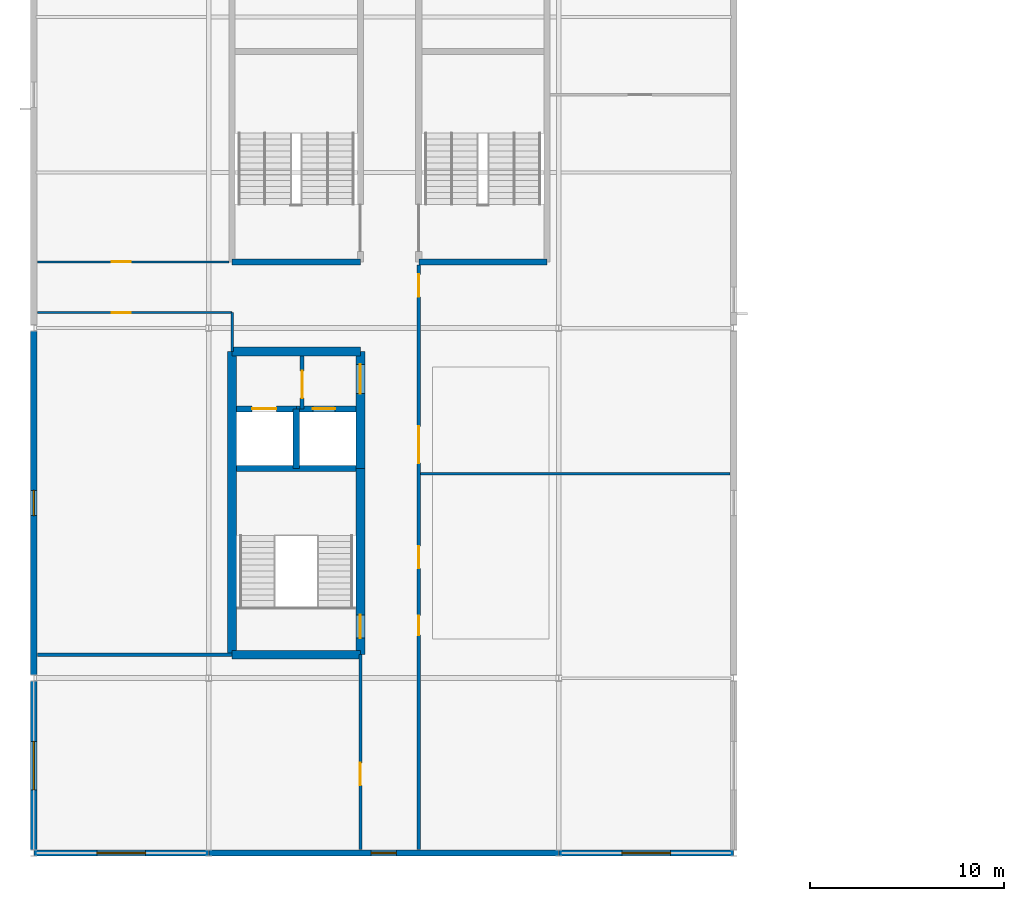
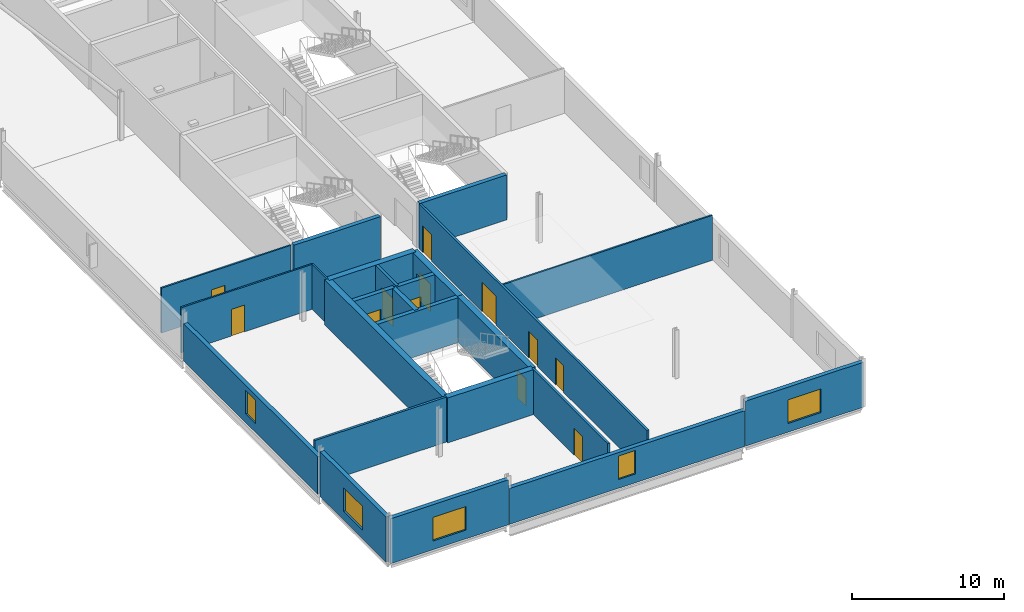
# One storey, part 14 of 31: 24 walls, 12 doors, 5 windows, 17 openings.
"""IFC4 building model written with IfcOpenShell, lengths in metres."""

import ifcopenshell
import ifcopenshell.guid

model = None  # the IFC model being written
_history = None  # IfcOwnerHistory: only IFC2X3 demands one
_inside = {}  # id of a spatial element -> (the spatial element, [elements in it])
_under = {}  # id of a project, library or spatial element -> (it, [spatial elements below it])
_declared = {}  # id of a project -> (the project, [libraries it declares])
_typed = {}  # id of a type object -> (the type object, [elements of that type])
_made_of = {}  # id of a material, layer set ... -> (it, [elements and type objects made of it])


def new_model(schema):
    """Start an empty IFC model of exactly this schema.

    Asked for "IFC4X3", IfcOpenShell would pick the latest addendum, in which some entities
    have other attributes; the version numbers below select the first issue.
    IFC2X3 requires an IfcOwnerHistory on every rooted entity: one is made here for all.
    """
    global model, _history
    if schema == "IFC4X3":
        model = ifcopenshell.file(schema_version=(4, 3, 0, 0))
    else:
        model = ifcopenshell.file(schema=schema)
    _inside.clear()
    _under.clear()
    _declared.clear()
    _typed.clear()
    _made_of.clear()
    _history = None
    if model.schema == "IFC2X3":
        org = make("IfcOrganization", Name="unknown")
        user = make(
            "IfcPersonAndOrganization",
            ThePerson=make("IfcPerson", FamilyName="unknown"),
            TheOrganization=org,
        )
        app = make(
            "IfcApplication",
            ApplicationDeveloper=org,
            Version="unknown",
            ApplicationFullName="unknown",
            ApplicationIdentifier="unknown",
        )
        _history = make(
            "IfcOwnerHistory",
            OwningUser=user,
            OwningApplication=app,
            ChangeAction="ADDED",
            CreationDate=0,
        )
    return model


def make(cls, **values):
    """One entity of the class cls with the attributes given. An attribute that is None is left unset."""
    return model.create_entity(
        cls, **{name: value for name, value in values.items() if value is not None}
    )


def rooted(cls, **values):
    """An entity with a GlobalId (a new one), such as an element, a storey or a relation."""
    return make(cls, GlobalId=ifcopenshell.guid.new(), OwnerHistory=_history, **values)


def si_unit(unit_type, name, prefix=None):
    """IfcSIUnit, for example si_unit("LENGTHUNIT", "METRE", prefix="MILLI")."""
    return make("IfcSIUnit", UnitType=unit_type, Prefix=prefix, Name=name)


def assignment(units):
    """IfcUnitAssignment: the units of a project."""
    return None if units is None else make("IfcUnitAssignment", Units=units)


def point(xyz):
    """IfcCartesianPoint."""
    return None if xyz is None else make("IfcCartesianPoint", Coordinates=xyz)


def direction(xyz):
    """IfcDirection."""
    return None if xyz is None else make("IfcDirection", DirectionRatios=xyz)


def frame(location, z_axis=None, x_axis=None):
    """IfcAxis2Placement3D, a coordinate frame: its origin and axes. An axis left out is left unset."""
    return make(
        "IfcAxis2Placement3D",
        Location=point(location),
        Axis=direction(z_axis),
        RefDirection=direction(x_axis),
    )


def frame_2d(location, x_axis=None):
    """IfcAxis2Placement2D, a coordinate frame in the plane: its origin and x axis."""
    return make(
        "IfcAxis2Placement2D", Location=point(location), RefDirection=direction(x_axis)
    )


def origin():
    """The frame at (0, 0, 0) with its axes left unset."""
    return frame((0.0, 0.0, 0.0))


def place(relative_to, where):
    """IfcLocalPlacement: puts the frame where relative to a parent placement (None: the world)."""
    return make(
        "IfcLocalPlacement", PlacementRelTo=relative_to, RelativePlacement=where
    )


def context(
    kind, dimensions, precision=None, world=None, true_north=None, identifier=None
):
    """IfcGeometricRepresentationContext, for example the 3D "Model" context."""
    return make(
        "IfcGeometricRepresentationContext",
        ContextIdentifier=identifier,
        ContextType=kind,
        CoordinateSpaceDimension=dimensions,
        Precision=precision,
        WorldCoordinateSystem=world,
        TrueNorth=true_north,
    )


def subcontext(parent, identifier, kind, view, scale=None):
    """IfcGeometricRepresentationSubContext, for example "Body" below "Model"."""
    return make(
        "IfcGeometricRepresentationSubContext",
        ContextIdentifier=identifier,
        ContextType=kind,
        ParentContext=parent,
        TargetScale=scale,
        TargetView=view,
    )


def project(units=None, contexts=None):
    """IfcProject with its units and contexts."""
    return rooted(
        "IfcProject",
        Name="project",
        RepresentationContexts=contexts,
        UnitsInContext=assignment(units),
    )


def spatial(cls, under=None, at=None, **own):
    """A site, building, storey or space (cls), placed at a placement, below another one or the project."""
    s = rooted(cls, ObjectPlacement=at, **own)
    if under is not None:
        _under.setdefault(under.id(), (under, []))[1].append(s)
    return s


def profile(cls, at=None, kind="AREA", **sizes):
    """A parametric profile (cls). Its sizes go by their IFC names, for example OverallWidth=200.0."""
    return make(cls, ProfileType=kind, Position=at, **sizes)


def rectangle(**sizes):
    """IfcRectangleProfileDef."""
    return profile("IfcRectangleProfileDef", **sizes)


def extrude(swept, where, along, depth):
    """IfcExtrudedAreaSolid: the profile swept, set in the frame where, extruded along a direction by depth."""
    return make(
        "IfcExtrudedAreaSolid",
        SweptArea=swept,
        Position=where,
        ExtrudedDirection=direction(along),
        Depth=depth,
    )


def shape(context_of_items, identifier, shape_type, items):
    """IfcShapeRepresentation: the items that make up one representation, for example the "Body"."""
    return make(
        "IfcShapeRepresentation",
        ContextOfItems=context_of_items,
        RepresentationIdentifier=identifier,
        RepresentationType=shape_type,
        Items=items,
    )


def material(Name=None, Category=None):
    """IfcMaterial."""
    return make("IfcMaterial", Name=Name, Category=Category)


def layer(
    of_material, thickness, ventilated=None, Name=None, Category=None, Priority=None
):
    """IfcMaterialLayer: one layer of a wall or slab, of a material (None: an air gap)."""
    return make(
        "IfcMaterialLayer",
        Material=of_material,
        LayerThickness=thickness,
        IsVentilated=ventilated,
        Name=Name,
        Category=Category,
        Priority=Priority,
    )


def layer_set(layers, Name=None):
    """IfcMaterialLayerSet."""
    return make("IfcMaterialLayerSet", MaterialLayers=layers, LayerSetName=Name)


def made_of(thing, what):
    """Note that an element or type object is made of a material, layer set ...; save() writes the relation."""
    if what is not None:
        _made_of.setdefault(what.id(), (what, []))[1].append(thing)
    return thing


def type_object(cls, material=None, **own):
    """A type object (cls), such as IfcWallType, which elements share."""
    return made_of(rooted(cls, **own), material)


def element(
    cls,
    number,
    at=None,
    inside=None,
    cuts=None,
    type_object=None,
    material=None,
    context=None,
    identifier="Body",
    shape_type=None,
    held_by="IfcProductDefinitionShape",
    body=None,
    shapes=None,
    **own,
):
    """One element of the class cls, such as IfcWall. Its Tag is "e" and its number.

    at: its placement. inside: the storey or other place that contains it. cuts: it is an
    opening in that element (IfcRelVoidsElement). A single representation is given by context,
    identifier, shape_type and body (its items); several are given by shapes. held_by: the class
    of the entity that holds the representations. save() writes the other relations.
    """
    e = rooted(cls, Tag="e%d" % number, ObjectPlacement=at, **own)
    if body is not None:
        shapes = [shape(context, identifier, shape_type, body)]
    if shapes is not None:
        e.Representation = make(held_by, Representations=shapes)
    if inside is not None:
        _inside.setdefault(inside.id(), (inside, []))[1].append(e)
    if cuts is not None:
        rooted(
            "IfcRelVoidsElement", RelatingBuildingElement=cuts, RelatedOpeningElement=e
        )
    if type_object is not None:
        _typed.setdefault(type_object.id(), (type_object, []))[1].append(e)
    return made_of(e, material)


def fill(opening, filler):
    """IfcRelFillsElement: the door or window that sits in an opening."""
    return rooted(
        "IfcRelFillsElement",
        RelatingOpeningElement=opening,
        RelatedBuildingElement=filler,
    )


def aggregate(whole, parts):
    """IfcRelAggregates: a whole, such as a stair, and the parts it consists of."""
    return rooted("IfcRelAggregates", RelatingObject=whole, RelatedObjects=parts)


def save(model, path):
    """Write the relations noted so far, then the file.

    IfcRelAggregates (storeys below a building ...), IfcRelContainedInSpatialStructure (elements
    in a storey), IfcRelDefinesByType, IfcRelAssociatesMaterial and IfcRelDeclares: one each for
    every whole, place, type object, material and project.
    """
    for whole, parts in _under.values():
        aggregate(whole, parts)
    for where, things in _inside.values():
        rooted(
            "IfcRelContainedInSpatialStructure",
            RelatedElements=things,
            RelatingStructure=where,
        )
    for kind, things in _typed.values():
        rooted("IfcRelDefinesByType", RelatedObjects=things, RelatingType=kind)
    for what, things in _made_of.values():
        rooted("IfcRelAssociatesMaterial", RelatedObjects=things, RelatingMaterial=what)
    for by, libraries in _declared.values():
        rooted("IfcRelDeclares", RelatingContext=by, RelatedDefinitions=libraries)
    model.write(path)


model = new_model("IFC4")

# Units and contexts
model_context = context("Model", 3, precision=1e-05, world=origin(), true_north=direction((0.0, 1.0)))
body_context = subcontext(model_context, "Body", "Model", "MODEL_VIEW")
ifc_project = project(units=[si_unit("LENGTHUNIT", "METRE"), si_unit("AREAUNIT", "SQUARE_METRE"), si_unit("VOLUMEUNIT", "CUBIC_METRE"), si_unit("PLANEANGLEUNIT", "RADIAN"), si_unit("MASSUNIT", "GRAM", prefix="KILO")], contexts=[model_context])

# Site, building, storey
site_placement = place(None, origin())
site = spatial("IfcSite", under=ifc_project, at=site_placement, CompositionType="ELEMENT")
building_placement = place(site_placement, origin())
building = spatial("IfcBuilding", under=site, at=building_placement, Name="Kisiwana Market Hall", CompositionType="ELEMENT")
storey_placement = place(building_placement, frame((0.0, 0.0, 45.60009765625)))
storey = spatial("IfcBuildingStorey", under=building, at=storey_placement, Name="L10", CompositionType="ELEMENT", Elevation=45.60009765625)

# Wall, opening, door
ifc_material_1 = material(Name="Masonry blockwork", Category="masonry")
ifc_layer_1 = layer(ifc_material_1, 0.199951171875, Name="Plastered fire compartment block wall")
ifc_layer_set_1 = layer_set([ifc_layer_1], Name="WL-COMP-200")
wall_type_1 = type_object("IfcWallType", Name="WL-COMP-200", PredefinedType="PARTITIONING", material=ifc_layer_set_1)
wall_1_placement = place(storey_placement, frame((13.800048828125, 31.844970703125, 0.0), z_axis=(0.0, 0.0, 1.0), x_axis=(0.0, 1.0, 0.0)))
wall_1 = element("IfcWall", 1, at=wall_1_placement, inside=storey, type_object=wall_type_1, Name="Core W2 firefighting lobby wall W-2707", PredefinedType="PARTITIONING", context=body_context, shape_type="SweptSolid", body=[
    extrude(rectangle(XDim=2.72998046875, YDim=0.199951171875, at=frame_2d((1.364990234375, 0.0))), origin(), (0.0, 0.0, 1.0), 3.619873046875),
])
opening_1_placement = place(wall_1_placement, frame((0.550048828125, 0.0, 0.0)))
opening_1 = element("IfcOpeningElement", 2, at=opening_1_placement, cuts=wall_1, Name="Opening DR-L10-003", PredefinedType="OPENING", context=body_context, shape_type="SweptSolid", body=[
    extrude(rectangle(XDim=1.39990234375, YDim=2.25, at=frame_2d((0.699951171875, 1.125))), frame((0.0, 0.11181640625, 0.0), z_axis=(0.0, -1.0, 0.0), x_axis=(1.0, 0.0, 0.0)), (0.0, 0.0, 1.0), 0.223876953125),
])
ifc_material_2 = material(Name="Steel S275", Category="steel")
door_type_1 = type_object("IfcDoorType", Name="DR-FFLOB-FD120-1400", OperationType="DOUBLE_DOOR_SINGLE_SWING", PredefinedType="DOOR", material=ifc_material_2)
door_1_placement = place(opening_1_placement, frame((1.39990234375, 0.0, 0.0), z_axis=(0.0, 0.0, 1.0), x_axis=(-1.0, 0.0, 0.0)))
door_1 = element("IfcDoor", 3, at=door_1_placement, inside=storey, type_object=door_type_1, Name="Firefighting Lift Lobby W2 Door (L10)", OperationType="DOUBLE_DOOR_SINGLE_SWING", OverallHeight=2.25, OverallWidth=1.39990234375, PredefinedType="DOOR", context=body_context, shape_type="SweptSolid", body=[
    extrude(rectangle(XDim=1.39990234375, YDim=2.25, at=frame_2d((0.699951171875, 1.125))), frame((0.0, 0.02490234375, 0.0), z_axis=(0.0, -1.0, 0.0), x_axis=(1.0, 0.0, 0.0)), (0.0, 0.0, 1.0), 0.050048828125),
])
fill(opening_1, door_1)

# Walls
ifc_material_3 = material(Name="Concrete C40/50", Category="concrete")
ifc_layer_2 = layer(ifc_material_3, 0.320068359375, Name="Reinforced concrete shaft wall")
ifc_layer_set_2 = layer_set([ifc_layer_2], Name="WL-CORE-320")
wall_type_2 = type_object("IfcWallType", Name="WL-CORE-320", PredefinedType="SHEAR", material=ifc_layer_set_2)
wall_2_placement = place(storey_placement, frame((10.425048828125, 28.784912109375, 0.0), z_axis=(0.0, 0.0, 1.0), x_axis=(1.0, 0.0, 0.0)))
element("IfcWall", 4, at=wall_2_placement, inside=storey, type_object=wall_type_2, Name="Core W2 shaft back shear wall W-2592", PredefinedType="SHEAR", context=body_context, shape_type="SweptSolid", body=[
    extrude(rectangle(XDim=6.14990234375, YDim=0.320068359375, at=frame_2d((3.074951171875, 0.0))), origin(), (0.0, 0.0, 1.0), 3.619873046875),
])
wall_3_placement = place(storey_placement, frame((13.5, 28.784912109375, 0.0), z_axis=(0.0, 0.0, 1.0), x_axis=(0.0, 1.0, 0.0)))
element("IfcWall", 5, at=wall_3_placement, inside=storey, type_object=wall_type_2, Name="Core W2 inter-shaft shear wall W-2593", PredefinedType="SHEAR", context=body_context, shape_type="SweptSolid", body=[
    extrude(rectangle(XDim=3.06005859375, YDim=0.320068359375, at=frame_2d((1.530029296875, 0.0))), origin(), (0.0, 0.0, 1.0), 3.619873046875),
])

# Wall, opening, door
wall_4_placement = place(storey_placement, frame((10.425048828125, 31.844970703125, 0.0), z_axis=(0.0, 0.0, 1.0), x_axis=(1.0, 0.0, 0.0)))
wall_4 = element("IfcWall", 6, at=wall_4_placement, inside=storey, type_object=wall_type_2, Name="Core W2 west lift front wall W-2594", PredefinedType="SHEAR", context=body_context, shape_type="SweptSolid", body=[
    extrude(rectangle(XDim=3.074951171875, YDim=0.320068359375, at=frame_2d((1.53759765625, 0.0))), origin(), (0.0, 0.0, 1.0), 3.619873046875),
])
opening_2_placement = place(wall_4_placement, frame((0.800048828125, 0.0, 0.0)))
opening_2 = element("IfcOpeningElement", 7, at=opening_2_placement, cuts=wall_4, Name="Opening LD-L10-001", PredefinedType="OPENING", context=body_context, shape_type="SweptSolid", body=[
    extrude(rectangle(XDim=1.25, YDim=2.25, at=frame_2d((0.625, 1.125))), frame((0.0, 0.171875, 0.0), z_axis=(0.0, -1.0, 0.0), x_axis=(1.0, 0.0, 0.0)), (0.0, 0.0, 1.0), 0.343994140625),
])
ifc_material_4 = material(Name="Steel S275", Category="steel")
door_type_2 = type_object("IfcDoorType", Name="DR-LIFT-FFL-1250", OperationType="DOUBLE_DOOR_SLIDING", PredefinedType="DOOR", material=ifc_material_4)
door_2_placement = place(opening_2_placement, origin())
door_2 = element("IfcDoor", 8, at=door_2_placement, inside=storey, type_object=door_type_2, Name="Lift Landing Door FFL-01 (L10)", OperationType="DOUBLE_DOOR_SLIDING", OverallHeight=2.25, OverallWidth=1.25, PredefinedType="DOOR", context=body_context, shape_type="SweptSolid", body=[
    extrude(rectangle(XDim=1.25, YDim=2.25, at=frame_2d((0.625, 1.125))), frame((0.0, 0.02490234375, 0.0), z_axis=(0.0, -1.0, 0.0), x_axis=(1.0, 0.0, 0.0)), (0.0, 0.0, 1.0), 0.050048828125),
])
fill(opening_2, door_2)

wall_5_placement = place(storey_placement, frame((13.5, 31.844970703125, 0.0), z_axis=(0.0, 0.0, 1.0), x_axis=(1.0, 0.0, 0.0)))
wall_5 = element("IfcWall", 9, at=wall_5_placement, inside=storey, type_object=wall_type_2, Name="Core W2 east lift front wall W-2595", PredefinedType="SHEAR", context=body_context, shape_type="SweptSolid", body=[
    extrude(rectangle(XDim=3.074951171875, YDim=0.320068359375, at=frame_2d((1.53759765625, 0.0))), origin(), (0.0, 0.0, 1.0), 3.619873046875),
])
opening_3_placement = place(wall_5_placement, frame((0.85009765625, 0.0, 0.0)))
opening_3 = element("IfcOpeningElement", 10, at=opening_3_placement, cuts=wall_5, Name="Opening LD-L10-002", PredefinedType="OPENING", context=body_context, shape_type="SweptSolid", body=[
    extrude(rectangle(XDim=1.14990234375, YDim=2.199951171875, at=frame_2d((0.574951171875, 1.10009765625))), frame((0.0, 0.171875, 0.0), z_axis=(0.0, -1.0, 0.0), x_axis=(1.0, 0.0, 0.0)), (0.0, 0.0, 1.0), 0.343994140625),
])
ifc_material_5 = material(Name="Steel S275", Category="steel")
door_type_3 = type_object("IfcDoorType", Name="DR-LIFT-PAX-1150", OperationType="DOUBLE_DOOR_SLIDING", PredefinedType="DOOR", material=ifc_material_5)
door_3_placement = place(opening_3_placement, origin())
door_3 = element("IfcDoor", 11, at=door_3_placement, inside=storey, type_object=door_type_3, Name="Lift Landing Door LP-01 (L10)", OperationType="DOUBLE_DOOR_SLIDING", OverallHeight=2.199951171875, OverallWidth=1.14990234375, PredefinedType="DOOR", context=body_context, shape_type="SweptSolid", body=[
    extrude(rectangle(XDim=1.14990234375, YDim=2.199951171875, at=frame_2d((0.574951171875, 1.10009765625))), frame((0.0, 0.02490234375, 0.0), z_axis=(0.0, -1.0, 0.0), x_axis=(1.0, 0.0, 0.0)), (0.0, 0.0, 1.0), 0.050048828125),
])
fill(opening_3, door_3)

# Walls
wall_6_placement = place(storey_placement, frame((10.199951171875, 39.39990234375, 0.0), z_axis=(0.0, 0.0, 1.0), x_axis=(1.0, 0.0, 0.0)))
element("IfcWall", 12, at=wall_6_placement, inside=storey, type_object=wall_type_2, Name="Core W3 south shear wall W-2623", PredefinedType="SHEAR", context=body_context, shape_type="SweptSolid", body=[
    extrude(rectangle(XDim=6.60009765625, YDim=0.320068359375, at=frame_2d((3.300048828125, 0.0))), origin(), (0.0, 0.0, 1.0), 3.619873046875),
])
wall_7_placement = place(storey_placement, frame((19.800048828125, 39.39990234375, 0.0), z_axis=(0.0, 0.0, 1.0), x_axis=(1.0, 0.0, 0.0)))
element("IfcWall", 13, at=wall_7_placement, inside=storey, type_object=wall_type_2, Name="Core W7 south shear wall W-2643", PredefinedType="SHEAR", context=body_context, shape_type="SweptSolid", body=[
    extrude(rectangle(XDim=6.599853515625, YDim=0.320068359375, at=frame_2d((3.2998046875, 0.0))), origin(), (0.0, 0.0, 1.0), 3.619873046875),
])
ifc_material_6 = material(Name="Concrete C40/50", Category="concrete")
ifc_layer_3 = layer(ifc_material_6, 0.449951171875, Name="Reinforced concrete core wall")
ifc_layer_set_3 = layer_set([ifc_layer_3], Name="WL-CORE-450")
wall_type_3 = type_object("IfcWallType", Name="WL-CORE-450", PredefinedType="SHEAR", material=ifc_layer_set_3)
for number, where, z_axis, x_axis, name in (
    (14, (10.199951171875, 19.199951171875, 0.0), (0.0, 0.0, 1.0), (1.0, 0.0, 0.0), "Core W2 south shear wall W-2587"),
    (15, (10.199951171875, 34.800048828125, 0.0), (0.0, 0.0, 1.0), (1.0, 0.0, 0.0), "Core W2 north shear wall W-2588"),
):
    element("IfcWall", number, at=place(storey_placement, frame(where, z_axis=z_axis, x_axis=x_axis)), inside=storey, type_object=wall_type_3, Name=name, PredefinedType="SHEAR", context=body_context, shape_type="SweptSolid", body=[
        extrude(rectangle(XDim=6.60009765625, YDim=0.449951171875, at=frame_2d((3.300048828125, 0.0))), origin(), (0.0, 0.0, 1.0), 3.619873046875),
    ])
wall_8_placement = place(storey_placement, frame((10.199951171875, 19.199951171875, 0.0), z_axis=(0.0, 0.0, 1.0), x_axis=(0.0, 1.0, 0.0)))
element("IfcWall", 16, at=wall_8_placement, inside=storey, type_object=wall_type_3, Name="Core W2 outer shear wall W-2589", PredefinedType="SHEAR", context=body_context, shape_type="SweptSolid", body=[
    extrude(rectangle(XDim=15.60009765625, YDim=0.449951171875, at=frame_2d((7.800048828125, 0.0))), origin(), (0.0, 0.0, 1.0), 3.619873046875),
])

# Wall, opening, door
wall_9_placement = place(storey_placement, frame((16.800048828125, 19.199951171875, 0.0), z_axis=(0.0, 0.0, 1.0), x_axis=(0.0, 1.0, 0.0)))
wall_9 = element("IfcWall", 17, at=wall_9_placement, inside=storey, type_object=wall_type_3, Name="Core W2 stair corridor shear wall W-2590", PredefinedType="SHEAR", context=body_context, shape_type="SweptSolid", body=[
    extrude(rectangle(XDim=9.5849609375, YDim=0.449951171875, at=frame_2d((4.79248046875, 0.0))), origin(), (0.0, 0.0, 1.0), 3.619873046875),
])
opening_4_placement = place(wall_9_placement, frame((0.85009765625, 0.0, 0.0)))
opening_4 = element("IfcOpeningElement", 18, at=opening_4_placement, cuts=wall_9, Name="Opening DR-L10-001", PredefinedType="OPENING", context=body_context, shape_type="SweptSolid", body=[
    extrude(rectangle(XDim=1.199951171875, YDim=2.199951171875, at=frame_2d((0.60009765625, 1.10009765625))), frame((0.0, 0.23681640625, 0.0), z_axis=(0.0, -1.0, 0.0), x_axis=(1.0, 0.0, 0.0)), (0.0, 0.0, 1.0), 0.473876953125),
])
ifc_material_7 = material(Name="Steel S275", Category="steel")
door_type_4 = type_object("IfcDoorType", Name="DR-STAIR-FD120-1200", OperationType="NOTDEFINED", PredefinedType="DOOR", material=ifc_material_7)
door_4_placement = place(opening_4_placement, origin())
door_4 = element("IfcDoor", 19, at=door_4_placement, inside=storey, type_object=door_type_4, Name="Escape Stair W2 Fire Door (L10)", OperationType="SINGLE_SWING_LEFT", OverallHeight=2.199951171875, OverallWidth=1.199951171875, PredefinedType="DOOR", context=body_context, shape_type="SweptSolid", body=[
    extrude(rectangle(XDim=1.199951171875, YDim=2.199951171875, at=frame_2d((0.60009765625, 1.10009765625))), frame((0.0, 0.02490234375, 0.0), z_axis=(0.0, -1.0, 0.0), x_axis=(1.0, 0.0, 0.0)), (0.0, 0.0, 1.0), 0.050048828125),
])
fill(opening_4, door_4)

wall_10_placement = place(storey_placement, frame((16.800048828125, 28.784912109375, 0.0), z_axis=(0.0, 0.0, 1.0), x_axis=(0.0, 1.0, 0.0)))
wall_10 = element("IfcWall", 20, at=wall_10_placement, inside=storey, type_object=wall_type_3, Name="Core W2 lobby corridor shear wall W-2591", PredefinedType="SHEAR", context=body_context, shape_type="SweptSolid", body=[
    extrude(rectangle(XDim=6.01513671875, YDim=0.449951171875, at=frame_2d((3.007568359375, 0.0))), origin(), (0.0, 0.0, 1.0), 3.619873046875),
])
opening_5_placement = place(wall_10_placement, frame((3.85009765625, 0.0, 0.0)))
opening_5 = element("IfcOpeningElement", 21, at=opening_5_placement, cuts=wall_10, Name="Opening DR-L10-002", PredefinedType="OPENING", context=body_context, shape_type="SweptSolid", body=[
    extrude(rectangle(XDim=1.5, YDim=2.199951171875, at=frame_2d((0.75, 1.10009765625))), frame((0.0, 0.23681640625, 0.0), z_axis=(0.0, -1.0, 0.0), x_axis=(1.0, 0.0, 0.0)), (0.0, 0.0, 1.0), 0.473876953125),
])
ifc_material_8 = material(Name="Steel S275", Category="steel")
door_type_5 = type_object("IfcDoorType", Name="DR-CORR-FD60-1500", OperationType="DOUBLE_DOOR_SINGLE_SWING", PredefinedType="DOOR", material=ifc_material_8)
door_5_placement = place(opening_5_placement, frame((1.5, 0.0, 0.0), z_axis=(0.0, 0.0, 1.0), x_axis=(-1.0, 0.0, 0.0)))
door_5 = element("IfcDoor", 22, at=door_5_placement, inside=storey, type_object=door_type_5, Name="Passenger Lift Lobby W2 Smoke Door (L10)", OperationType="DOUBLE_DOOR_SINGLE_SWING", OverallHeight=2.199951171875, OverallWidth=1.5, PredefinedType="DOOR", context=body_context, shape_type="SweptSolid", body=[
    extrude(rectangle(XDim=1.5, YDim=2.199951171875, at=frame_2d((0.75, 1.10009765625))), frame((0.0, 0.02490234375, 0.0), z_axis=(0.0, -1.0, 0.0), x_axis=(1.0, 0.0, 0.0)), (0.0, 0.0, 1.0), 0.050048828125),
])
fill(opening_5, door_5)

# Wall
ifc_material_9 = material(Name="Masonry blockwork", Category="masonry")
ifc_layer_4 = layer(ifc_material_9, 0.169921875, Name="Protected corridor partition")
ifc_layer_set_4 = layer_set([ifc_layer_4], Name="WL-CORR-170")
wall_type_4 = type_object("IfcWallType", Name="WL-CORR-170", PredefinedType="PARTITIONING", material=ifc_layer_set_4)
wall_11_placement = place(storey_placement, frame((0.1826171875, 19.199951171875, 0.0), z_axis=(0.0, 0.0, 1.0), x_axis=(1.0, 0.0, 0.0)))
element("IfcWall", 23, at=wall_11_placement, inside=storey, type_object=wall_type_4, Name="Interior partition W-2717", PredefinedType="PARTITIONING", context=body_context, shape_type="SweptSolid", body=[
    extrude(rectangle(XDim=10.017333984375, YDim=0.169921875, at=frame_2d((5.0087890625, 0.0))), origin(), (0.0, 0.0, 1.0), 3.619873046875),
])

# Wall, opening, door
wall_12_placement = place(storey_placement, frame((16.800048828125, 9.1826171875, 0.0), z_axis=(0.0, 0.0, 1.0), x_axis=(0.0, 1.0, 0.0)))
wall_12 = element("IfcWall", 24, at=wall_12_placement, inside=storey, type_object=wall_type_4, Name="Interior partition W-2723", PredefinedType="PARTITIONING", context=body_context, shape_type="SweptSolid", body=[
    extrude(rectangle(XDim=10.017333984375, YDim=0.169921875, at=frame_2d((5.0087890625, 0.0))), origin(), (0.0, 0.0, 1.0), 3.619873046875),
])
opening_6_placement = place(wall_12_placement, frame((3.300048828125, 0.0, 0.0)))
opening_6 = element("IfcOpeningElement", 25, at=opening_6_placement, cuts=wall_12, Name="Opening DR-L10-029", PredefinedType="OPENING", context=body_context, shape_type="SweptSolid", body=[
    extrude(rectangle(XDim=1.14990234375, YDim=2.14990234375, at=frame_2d((0.574951171875, 1.074951171875))), frame((0.0, 0.096923828125, 0.0), z_axis=(0.0, -1.0, 0.0), x_axis=(1.0, 0.0, 0.0)), (0.0, 0.0, 1.0), 0.19384765625),
])
ifc_material_10 = material(Name="Aluminium alloy 6063-T6", Category="aluminium")
door_type_6 = type_object("IfcDoorType", Name="DR-MEET-1150", OperationType="NOTDEFINED", PredefinedType="DOOR", material=ifc_material_10)
door_6_placement = place(opening_6_placement, origin())
door_6 = element("IfcDoor", 26, at=door_6_placement, inside=storey, type_object=door_type_6, Name="L10 W Corner Office Suite South Door", OperationType="SINGLE_SWING_LEFT", OverallHeight=2.14990234375, OverallWidth=1.14990234375, PredefinedType="DOOR", context=body_context, shape_type="SweptSolid", body=[
    extrude(rectangle(XDim=1.14990234375, YDim=2.14990234375, at=frame_2d((0.574951171875, 1.074951171875))), frame((0.0, 0.02490234375, 0.0), z_axis=(0.0, -1.0, 0.0), x_axis=(1.0, 0.0, 0.0)), (0.0, 0.0, 1.0), 0.050048828125),
])
fill(opening_6, door_6)

# Wall, openings, doors
wall_13_placement = place(storey_placement, frame((19.800048828125, 9.1826171875, 0.0), z_axis=(0.0, 0.0, 1.0), x_axis=(0.0, 1.0, 0.0)))
wall_13 = element("IfcWall", 27, at=wall_13_placement, inside=storey, type_object=wall_type_4, Name="Interior partition W-2729", PredefinedType="PARTITIONING", context=body_context, shape_type="SweptSolid", body=[
    extrude(rectangle(XDim=30.057373046875, YDim=0.169921875, at=frame_2d((15.02880859375, 0.0))), origin(), (0.0, 0.0, 1.0), 3.619873046875),
])
opening_7_placement = place(wall_13_placement, frame((11.028076171875, 0.0, 0.0)))
opening_7 = element("IfcOpeningElement", 28, at=opening_7_placement, cuts=wall_13, Name="Opening DR-L10-032", PredefinedType="OPENING", context=body_context, shape_type="SweptSolid", body=[
    extrude(rectangle(XDim=1.0, YDim=2.14990234375, at=frame_2d((0.5, 1.074951171875))), frame((0.0, 0.096923828125, 0.0), z_axis=(0.0, -1.0, 0.0), x_axis=(1.0, 0.0, 0.0)), (0.0, 0.0, 1.0), 0.19384765625),
])
opening_8_placement = place(wall_13_placement, frame((28.427978515625, 0.0, 0.0)))
opening_8 = element("IfcOpeningElement", 29, at=opening_8_placement, cuts=wall_13, Name="Opening DR-L10-033", PredefinedType="OPENING", context=body_context, shape_type="SweptSolid", body=[
    extrude(rectangle(XDim=1.14990234375, YDim=2.14990234375, at=frame_2d((0.574951171875, 1.074951171875))), frame((0.0, 0.096923828125, 0.0), z_axis=(0.0, -1.0, 0.0), x_axis=(1.0, 0.0, 0.0)), (0.0, 0.0, 1.0), 0.19384765625),
])
opening_9_placement = place(wall_13_placement, frame((14.4541015625, 0.0, 0.0)))
opening_9 = element("IfcOpeningElement", 30, at=opening_9_placement, cuts=wall_13, Name="Opening DR-L10-034", PredefinedType="OPENING", context=body_context, shape_type="SweptSolid", body=[
    extrude(rectangle(XDim=1.14990234375, YDim=2.14990234375, at=frame_2d((0.574951171875, 1.074951171875))), frame((0.0, 0.096923828125, 0.0), z_axis=(0.0, -1.0, 0.0), x_axis=(1.0, 0.0, 0.0)), (0.0, 0.0, 1.0), 0.19384765625),
])
opening_10_placement = place(wall_13_placement, frame((19.867919921875, 0.0, 0.0)))
opening_10 = element("IfcOpeningElement", 31, at=opening_10_placement, cuts=wall_13, Name="Opening DR-L10-035", PredefinedType="OPENING", context=body_context, shape_type="SweptSolid", body=[
    extrude(rectangle(XDim=1.89990234375, YDim=2.35009765625, at=frame_2d((0.949951171875, 1.175048828125))), frame((0.0, 0.096923828125, 0.0), z_axis=(0.0, -1.0, 0.0), x_axis=(1.0, 0.0, 0.0)), (0.0, 0.0, 1.0), 0.19384765625),
])
ifc_material_11 = material(Name="Steel S275", Category="steel")
door_type_7 = type_object("IfcDoorType", Name="DR-HALL-1900", OperationType="DOUBLE_DOOR_SINGLE_SWING", PredefinedType="DOOR", material=ifc_material_11)
door_7_placement = place(opening_10_placement, frame((1.89990234375, 0.0, 0.0), z_axis=(0.0, 0.0, 1.0), x_axis=(-1.0, 0.0, 0.0)))
door_7 = element("IfcDoor", 32, at=door_7_placement, inside=storey, type_object=door_type_7, Name="L10 W Boardroom Suite M2 Exit Door", OperationType="DOUBLE_DOOR_SINGLE_SWING", OverallHeight=2.35009765625, OverallWidth=1.89990234375, PredefinedType="DOOR", context=body_context, shape_type="SweptSolid", body=[
    extrude(rectangle(XDim=1.89990234375, YDim=2.35009765625, at=frame_2d((0.949951171875, 1.175048828125))), frame((0.0, 0.02490234375, 0.0), z_axis=(0.0, -1.0, 0.0), x_axis=(1.0, 0.0, 0.0)), (0.0, 0.0, 1.0), 0.050048828125),
])
fill(opening_10, door_7)
door_8_placement = place(opening_8_placement, frame((1.14990234375, 0.0, 0.0), z_axis=(0.0, 0.0, 1.0), x_axis=(-1.0, 0.0, 0.0)))
door_8 = element("IfcDoor", 33, at=door_8_placement, inside=storey, type_object=door_type_6, Name="L10 W Boardroom Suite M2 Door", OperationType="SINGLE_SWING_LEFT", OverallHeight=2.14990234375, OverallWidth=1.14990234375, PredefinedType="DOOR", context=body_context, shape_type="SweptSolid", body=[
    extrude(rectangle(XDim=1.14990234375, YDim=2.14990234375, at=frame_2d((0.574951171875, 1.074951171875))), frame((0.0, 0.02490234375, 0.0), z_axis=(0.0, -1.0, 0.0), x_axis=(1.0, 0.0, 0.0)), (0.0, 0.0, 1.0), 0.050048828125),
])
fill(opening_8, door_8)
door_9_placement = place(opening_9_placement, frame((1.14990234375, 0.0, 0.0), z_axis=(0.0, 0.0, 1.0), x_axis=(-1.0, 0.0, 0.0)))
door_9 = element("IfcDoor", 34, at=door_9_placement, inside=storey, type_object=door_type_6, Name="L10 W Engineering Design Studio M3 Door", OperationType="SINGLE_SWING_RIGHT", OverallHeight=2.14990234375, OverallWidth=1.14990234375, PredefinedType="DOOR", context=body_context, shape_type="SweptSolid", body=[
    extrude(rectangle(XDim=1.14990234375, YDim=2.14990234375, at=frame_2d((0.574951171875, 1.074951171875))), frame((0.0, 0.02490234375, 0.0), z_axis=(0.0, -1.0, 0.0), x_axis=(1.0, 0.0, 0.0)), (0.0, 0.0, 1.0), 0.050048828125),
])
fill(opening_9, door_9)
ifc_material_12 = material(Name="Aluminium alloy 6063-T6", Category="aluminium")
door_type_8 = type_object("IfcDoorType", Name="DR-OFF-1000", OperationType="NOTDEFINED", PredefinedType="DOOR", material=ifc_material_12)
door_10_placement = place(opening_7_placement, frame((1.0, 0.0, 0.0), z_axis=(0.0, 0.0, 1.0), x_axis=(-1.0, 0.0, 0.0)))
door_10 = element("IfcDoor", 35, at=door_10_placement, inside=storey, type_object=door_type_8, Name="L10 W Mid-Rise Office Suite M1 Door", OperationType="SINGLE_SWING_RIGHT", OverallHeight=2.14990234375, OverallWidth=1.0, PredefinedType="DOOR", context=body_context, shape_type="SweptSolid", body=[
    extrude(rectangle(XDim=1.0, YDim=2.14990234375, at=frame_2d((0.5, 1.074951171875))), frame((0.0, 0.02490234375, 0.0), z_axis=(0.0, -1.0, 0.0), x_axis=(1.0, 0.0, 0.0)), (0.0, 0.0, 1.0), 0.050048828125),
])
fill(opening_7, door_10)

# Wall, opening, window
ifc_material_13 = material(Name="Concrete C40/50 precast", Category="concrete")
ifc_layer_5 = layer(ifc_material_13, 0.31494140625)
ifc_layer_set_5 = layer_set([ifc_layer_5], Name="WL-EXT-315")
wall_type_5 = type_object("IfcWallType", Name="WL-EXT-315", PredefinedType="STANDARD", material=ifc_layer_set_5)
wall_14_placement = place(storey_placement, frame((0.010009765625, 9.0, 0.0), z_axis=(0.0, 0.0, 1.0), x_axis=(1.0, 0.0, 0.0)))
wall_14 = element("IfcWall", 36, at=wall_14_placement, inside=storey, type_object=wall_type_5, Name="Exterior wall W-2671", PredefinedType="STANDARD", context=body_context, shape_type="SweptSolid", body=[
    extrude(rectangle(XDim=8.97998046875, YDim=0.31494140625, at=frame_2d((4.489990234375, 0.0))), origin(), (0.0, 0.0, 1.0), 3.619873046875),
])
opening_11_placement = place(wall_14_placement, frame((3.239990234375, 0.0, 0.699951171875)))
opening_11 = element("IfcOpeningElement", 37, at=opening_11_placement, cuts=wall_14, Name="Opening WN-17", PredefinedType="OPENING", context=body_context, shape_type="SweptSolid", body=[
    extrude(rectangle(XDim=2.5, YDim=1.89990234375, at=frame_2d((1.25, 0.949951171875))), frame((0.0, 0.16943359375, 0.0), z_axis=(0.0, -1.0, 0.0), x_axis=(1.0, 0.0, 0.0)), (0.0, 0.0, 1.0), 0.3388671875),
])
ifc_material_14 = material(Name="Double-glazed solar-control low-E IGU", Category="glass")
window_type_1 = type_object("IfcWindowType", Name="WN-OFFB-2500x1900", PartitioningType="SINGLE_PANEL", PredefinedType="WINDOW", material=ifc_material_14)
window_1_placement = place(opening_11_placement, origin())
window_1 = element("IfcWindow", 38, at=window_1_placement, inside=storey, type_object=window_type_1, Name="Exterior window WN-314", OverallHeight=1.89990234375, OverallWidth=2.5, PartitioningType="SINGLE_PANEL", PredefinedType="WINDOW", context=body_context, shape_type="SweptSolid", body=[
    extrude(rectangle(XDim=2.5, YDim=1.89990234375, at=frame_2d((1.25, 0.949951171875))), frame((0.0, 0.030029296875, 0.0), z_axis=(0.0, -1.0, 0.0), x_axis=(1.0, 0.0, 0.0)), (0.0, 0.0, 1.0), 0.06005859375),
])
fill(opening_11, window_1)

wall_15_placement = place(storey_placement, frame((9.010009765625, 9.0, 0.0), z_axis=(0.0, 0.0, 1.0), x_axis=(1.0, 0.0, 0.0)))
wall_15 = element("IfcWall", 39, at=wall_15_placement, inside=storey, type_object=wall_type_5, Name="Exterior wall W-2672", PredefinedType="STANDARD", context=body_context, shape_type="SweptSolid", body=[
    extrude(rectangle(XDim=17.97998046875, YDim=0.31494140625, at=frame_2d((8.989990234375, 0.0))), origin(), (0.0, 0.0, 1.0), 2.879638671875),
])
opening_12_placement = place(wall_15_placement, frame((8.340087890625, 0.0, 0.699951171875)))
opening_12 = element("IfcOpeningElement", 40, at=opening_12_placement, cuts=wall_15, Name="Opening WN-08", PredefinedType="OPENING", context=body_context, shape_type="SweptSolid", body=[
    extrude(rectangle(XDim=1.300048828125, YDim=1.89990234375, at=frame_2d((0.64990234375, 0.949951171875))), frame((0.0, 0.16943359375, 0.0), z_axis=(0.0, -1.0, 0.0), x_axis=(1.0, 0.0, 0.0)), (0.0, 0.0, 1.0), 0.3388671875),
])
ifc_material_15 = material(Name="Double-glazed solar-control low-E IGU", Category="glass")
window_type_2 = type_object("IfcWindowType", Name="WN-OFFB-1300x1900", PartitioningType="SINGLE_PANEL", PredefinedType="WINDOW", material=ifc_material_15)
window_2_placement = place(opening_12_placement, origin())
window_2 = element("IfcWindow", 41, at=window_2_placement, inside=storey, type_object=window_type_2, Name="Exterior window WN-294", OverallHeight=1.89990234375, OverallWidth=1.300048828125, PartitioningType="SINGLE_PANEL", PredefinedType="WINDOW", context=body_context, shape_type="SweptSolid", body=[
    extrude(rectangle(XDim=1.300048828125, YDim=1.89990234375, at=frame_2d((0.64990234375, 0.949951171875))), frame((0.0, 0.030029296875, 0.0), z_axis=(0.0, -1.0, 0.0), x_axis=(1.0, 0.0, 0.0)), (0.0, 0.0, 1.0), 0.06005859375),
])
fill(opening_12, window_2)

wall_16_placement = place(storey_placement, frame((27.010009765625, 9.0, 0.0), z_axis=(0.0, 0.0, 1.0), x_axis=(1.0, 0.0, 0.0)))
wall_16 = element("IfcWall", 42, at=wall_16_placement, inside=storey, type_object=wall_type_5, Name="Exterior wall W-2673", PredefinedType="STANDARD", context=body_context, shape_type="SweptSolid", body=[
    extrude(rectangle(XDim=8.97998046875, YDim=0.31494140625, at=frame_2d((4.489990234375, 0.0))), origin(), (0.0, 0.0, 1.0), 3.619873046875),
])
opening_13_placement = place(wall_16_placement, frame((3.239990234375, 0.0, 0.699951171875)))
opening_13 = element("IfcOpeningElement", 43, at=opening_13_placement, cuts=wall_16, Name="Opening WN-17", PredefinedType="OPENING", context=body_context, shape_type="SweptSolid", body=[
    extrude(rectangle(XDim=2.5, YDim=1.89990234375, at=frame_2d((1.25, 0.949951171875))), frame((0.0, 0.16943359375, 0.0), z_axis=(0.0, -1.0, 0.0), x_axis=(1.0, 0.0, 0.0)), (0.0, 0.0, 1.0), 0.3388671875),
])
window_3_placement = place(opening_13_placement, origin())
window_3 = element("IfcWindow", 44, at=window_3_placement, inside=storey, type_object=window_type_1, Name="Exterior window WN-315", OverallHeight=1.89990234375, OverallWidth=2.5, PartitioningType="SINGLE_PANEL", PredefinedType="WINDOW", context=body_context, shape_type="SweptSolid", body=[
    extrude(rectangle(XDim=2.5, YDim=1.89990234375, at=frame_2d((1.25, 0.949951171875))), frame((0.0, 0.030029296875, 0.0), z_axis=(0.0, -1.0, 0.0), x_axis=(1.0, 0.0, 0.0)), (0.0, 0.0, 1.0), 0.06005859375),
])
fill(opening_13, window_3)

wall_17_placement = place(storey_placement, frame((0.0, 9.159912109375, 0.0), z_axis=(0.0, 0.0, 1.0), x_axis=(0.0, 1.0, 0.0)))
wall_17 = element("IfcWall", 45, at=wall_17_placement, inside=storey, type_object=wall_type_5, Name="Exterior wall W-2683", PredefinedType="STANDARD", context=body_context, shape_type="SweptSolid", body=[
    extrude(rectangle(XDim=8.680419921875, YDim=0.31494140625, at=frame_2d((4.34033203125, 0.0))), origin(), (0.0, 0.0, 1.0), 3.619873046875),
])
opening_14_placement = place(wall_17_placement, frame((3.09033203125, 0.0, 0.699951171875)))
opening_14 = element("IfcOpeningElement", 46, at=opening_14_placement, cuts=wall_17, Name="Opening WN-17", PredefinedType="OPENING", context=body_context, shape_type="SweptSolid", body=[
    extrude(rectangle(XDim=2.5, YDim=1.89990234375, at=frame_2d((1.25, 0.949951171875))), frame((0.0, 0.16943359375, 0.0), z_axis=(0.0, -1.0, 0.0), x_axis=(1.0, 0.0, 0.0)), (0.0, 0.0, 1.0), 0.3388671875),
])
window_4_placement = place(opening_14_placement, origin())
window_4 = element("IfcWindow", 47, at=window_4_placement, inside=storey, type_object=window_type_1, Name="Exterior window WN-322", OverallHeight=1.89990234375, OverallWidth=2.5, PartitioningType="SINGLE_PANEL", PredefinedType="WINDOW", context=body_context, shape_type="SweptSolid", body=[
    extrude(rectangle(XDim=2.5, YDim=1.89990234375, at=frame_2d((1.25, 0.949951171875))), frame((0.0, 0.030029296875, 0.0), z_axis=(0.0, -1.0, 0.0), x_axis=(1.0, 0.0, 0.0)), (0.0, 0.0, 1.0), 0.06005859375),
])
fill(opening_14, window_4)

wall_18_placement = place(storey_placement, frame((0.0, 18.15966796875, 0.0), z_axis=(0.0, 0.0, 1.0), x_axis=(0.0, 1.0, 0.0)))
wall_18 = element("IfcWall", 48, at=wall_18_placement, inside=storey, type_object=wall_type_5, Name="Exterior wall W-2684", PredefinedType="STANDARD", context=body_context, shape_type="SweptSolid", body=[
    extrude(rectangle(XDim=17.680419921875, YDim=0.31494140625, at=frame_2d((8.84033203125, 0.0))), origin(), (0.0, 0.0, 1.0), 3.0078125),
])
opening_15_placement = place(wall_18_placement, frame((8.190185546875, 0.0, 0.699951171875)))
opening_15 = element("IfcOpeningElement", 49, at=opening_15_placement, cuts=wall_18, Name="Opening WN-08", PredefinedType="OPENING", context=body_context, shape_type="SweptSolid", body=[
    extrude(rectangle(XDim=1.300048828125, YDim=1.89990234375, at=frame_2d((0.64990234375, 0.949951171875))), frame((0.0, 0.16943359375, 0.0), z_axis=(0.0, -1.0, 0.0), x_axis=(1.0, 0.0, 0.0)), (0.0, 0.0, 1.0), 0.3388671875),
])
window_5_placement = place(opening_15_placement, origin())
window_5 = element("IfcWindow", 50, at=window_5_placement, inside=storey, type_object=window_type_2, Name="Exterior window WN-298", OverallHeight=1.89990234375, OverallWidth=1.300048828125, PartitioningType="SINGLE_PANEL", PredefinedType="WINDOW", context=body_context, shape_type="SweptSolid", body=[
    extrude(rectangle(XDim=1.300048828125, YDim=1.89990234375, at=frame_2d((0.64990234375, 0.949951171875))), frame((0.0, 0.030029296875, 0.0), z_axis=(0.0, -1.0, 0.0), x_axis=(1.0, 0.0, 0.0)), (0.0, 0.0, 1.0), 0.06005859375),
])
fill(opening_15, window_5)

# Wall
ifc_material_16 = material(Name="Gypsum plasterboard")
ifc_layer_6 = layer(ifc_material_16, 0.125, Name="Double gypsum board + acoustic stud")
ifc_layer_set_6 = layer_set([ifc_layer_6], Name="WL-OFF-125")
wall_type_6 = type_object("IfcWallType", Name="WL-OFF-125", PredefinedType="PARTITIONING", material=ifc_layer_set_6)
wall_19_placement = place(storey_placement, frame((10.199951171875, 34.800048828125, 0.0), z_axis=(0.0, 0.0, 1.0), x_axis=(0.0, 1.0, 0.0)))
element("IfcWall", 51, at=wall_19_placement, inside=storey, type_object=wall_type_6, Name="Interior partition W-2715", PredefinedType="PARTITIONING", context=body_context, shape_type="SweptSolid", body=[
    extrude(rectangle(XDim=2.0, YDim=0.125, at=frame_2d((1.0, 0.0))), origin(), (0.0, 0.0, 1.0), 3.619873046875),
])

# Wall, opening, door
wall_20_placement = place(storey_placement, frame((0.1826171875, 36.800048828125, 0.0), z_axis=(0.0, 0.0, 1.0), x_axis=(1.0, 0.0, 0.0)))
wall_20 = element("IfcWall", 52, at=wall_20_placement, inside=storey, type_object=wall_type_6, Name="Interior partition W-2719", PredefinedType="PARTITIONING", context=body_context, shape_type="SweptSolid", body=[
    extrude(rectangle(XDim=10.017333984375, YDim=0.125, at=frame_2d((5.0087890625, 0.0))), origin(), (0.0, 0.0, 1.0), 3.619873046875),
])
opening_16_placement = place(wall_20_placement, frame((3.81689453125, 0.0, 0.0)))
opening_16 = element("IfcOpeningElement", 53, at=opening_16_placement, cuts=wall_20, Name="Opening DR-L10-026", PredefinedType="OPENING", context=body_context, shape_type="SweptSolid", body=[
    extrude(rectangle(XDim=1.0, YDim=2.14990234375, at=frame_2d((0.5, 1.074951171875))), frame((0.0, 0.074462890625, 0.0), z_axis=(0.0, -1.0, 0.0), x_axis=(1.0, 0.0, 0.0)), (0.0, 0.0, 1.0), 0.14892578125),
])
door_11_placement = place(opening_16_placement, frame((1.0, 0.0, 0.0), z_axis=(0.0, 0.0, 1.0), x_axis=(-1.0, 0.0, 0.0)))
door_11 = element("IfcDoor", 54, at=door_11_placement, inside=storey, type_object=door_type_8, Name="L10 W Commercial Office South Door", OperationType="SINGLE_SWING_RIGHT", OverallHeight=2.14990234375, OverallWidth=1.0, PredefinedType="DOOR", context=body_context, shape_type="SweptSolid", body=[
    extrude(rectangle(XDim=1.0, YDim=2.14990234375, at=frame_2d((0.5, 1.074951171875))), frame((0.0, 0.02490234375, 0.0), z_axis=(0.0, -1.0, 0.0), x_axis=(1.0, 0.0, 0.0)), (0.0, 0.0, 1.0), 0.050048828125),
])
fill(opening_16, door_11)

wall_21_placement = place(storey_placement, frame((0.1826171875, 39.39990234375, 0.0), z_axis=(0.0, 0.0, 1.0), x_axis=(1.0, 0.0, 0.0)))
wall_21 = element("IfcWall", 55, at=wall_21_placement, inside=storey, type_object=wall_type_6, Name="Interior partition W-2720", PredefinedType="PARTITIONING", context=body_context, shape_type="SweptSolid", body=[
    extrude(rectangle(XDim=9.857421875, YDim=0.125, at=frame_2d((4.9287109375, 0.0))), origin(), (0.0, 0.0, 1.0), 3.619873046875),
])
opening_17_placement = place(wall_21_placement, frame((3.81689453125, 0.0, 0.0)))
opening_17 = element("IfcOpeningElement", 56, at=opening_17_placement, cuts=wall_21, Name="Opening DR-L10-027", PredefinedType="OPENING", context=body_context, shape_type="SweptSolid", body=[
    extrude(rectangle(XDim=1.0, YDim=2.14990234375, at=frame_2d((0.5, 1.074951171875))), frame((0.0, 0.074462890625, 0.0), z_axis=(0.0, -1.0, 0.0), x_axis=(1.0, 0.0, 0.0)), (0.0, 0.0, 1.0), 0.14892578125),
])
door_12_placement = place(opening_17_placement, origin())
door_12 = element("IfcDoor", 57, at=door_12_placement, inside=storey, type_object=door_type_8, Name="L10 W Commercial Office Central Door", OperationType="SINGLE_SWING_LEFT", OverallHeight=2.14990234375, OverallWidth=1.0, PredefinedType="DOOR", context=body_context, shape_type="SweptSolid", body=[
    extrude(rectangle(XDim=1.0, YDim=2.14990234375, at=frame_2d((0.5, 1.074951171875))), frame((0.0, 0.02490234375, 0.0), z_axis=(0.0, -1.0, 0.0), x_axis=(1.0, 0.0, 0.0)), (0.0, 0.0, 1.0), 0.050048828125),
])
fill(opening_17, door_12)

# Wall
wall_22_placement = place(storey_placement, frame((19.885009765625, 28.5, 0.0), z_axis=(0.0, 0.0, 1.0), x_axis=(1.0, 0.0, 0.0)))
element("IfcWall", 58, at=wall_22_placement, inside=storey, type_object=wall_type_6, Name="Interior partition W-2725", PredefinedType="PARTITIONING", context=body_context, shape_type="SweptSolid", body=[
    extrude(rectangle(XDim=15.932373046875, YDim=0.125, at=frame_2d((7.96630859375, 0.0))), origin(), (0.0, 0.0, 1.0), 3.619873046875),
])

save(model, "model.ifc")
